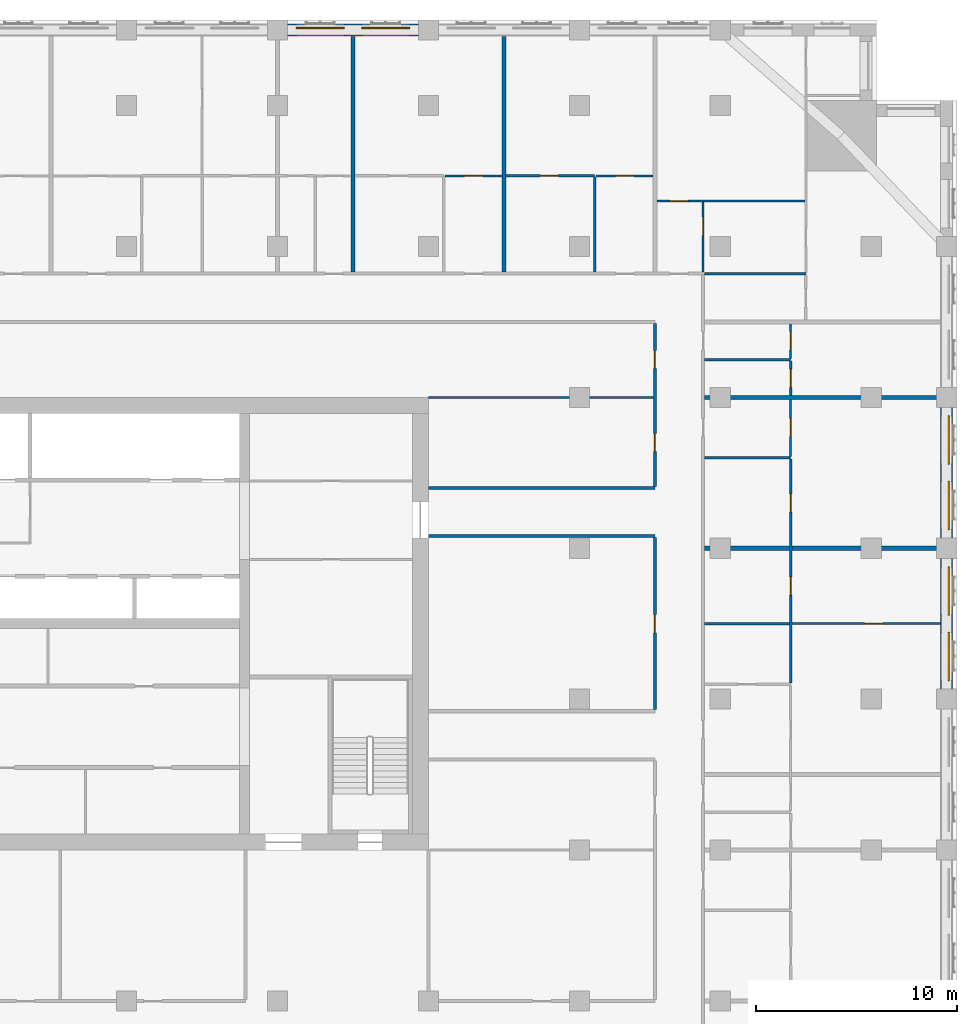
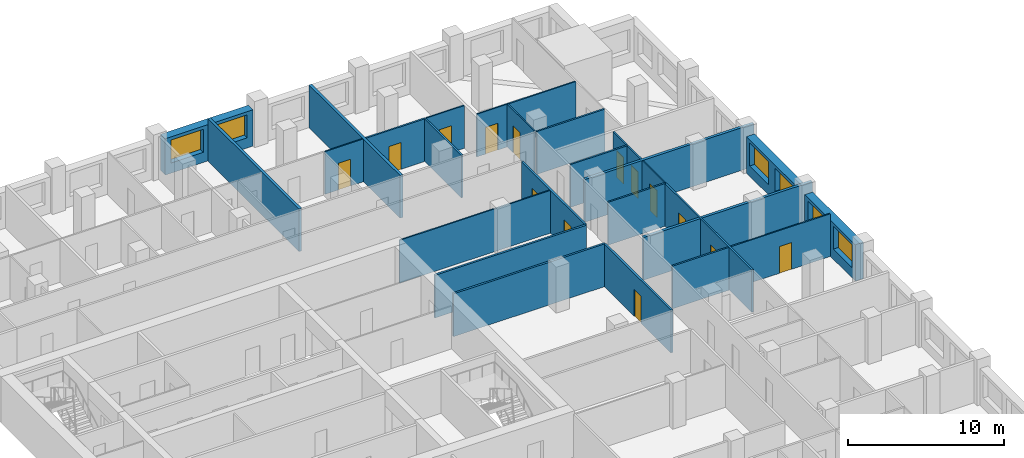
# One storey, part 10 of 14: 27 walls, 14 doors, 6 windows, 20 openings.
"""IFC4 building model written with IfcOpenShell, lengths in metres."""

from ifc_helpers import new_model, si_unit, direction, frame, frame_2d, origin, place, context, subcontext, project, spatial, rectangle, extrude, material, layer, layer_set, type_object, element, fill, save


model = new_model("IFC4")

# Units and contexts
model_context = context("Model", 3, precision=1e-05, world=origin(), true_north=direction((0.0, 1.0)))
body_context = subcontext(model_context, "Body", "Model", "MODEL_VIEW")
ifc_project = project(units=[si_unit("LENGTHUNIT", "METRE"), si_unit("AREAUNIT", "SQUARE_METRE"), si_unit("VOLUMEUNIT", "CUBIC_METRE"), si_unit("PLANEANGLEUNIT", "RADIAN"), si_unit("MASSUNIT", "GRAM", prefix="KILO")], contexts=[model_context])

# Site, building, storey
site_placement = place(None, origin())
site = spatial("IfcSite", under=ifc_project, at=site_placement, CompositionType="ELEMENT")
building_placement = place(site_placement, origin())
building = spatial("IfcBuilding", under=site, at=building_placement, Name="Tamorin Gate", CompositionType="ELEMENT")
storey_placement = place(building_placement, frame((0.0, 0.0, 148.199951171875)))
storey = spatial("IfcBuildingStorey", under=building, at=storey_placement, Name="L36", CompositionType="ELEMENT", Elevation=148.199951171875)

# Wall, openings, windows
ifc_material_1 = material(Name="Precast concrete C40/50", Category="concrete")
ifc_layer_1 = layer(ifc_material_1, 0.60009765625)
ifc_layer_set_1 = layer_set([ifc_layer_1], Name="Precast concrete C40/50")
wall_type_1 = type_object("IfcWallType", Name="Board-marked concrete facade panel 600", PredefinedType="SOLIDWALL", material=ifc_layer_set_1)
wall_1_placement = place(storey_placement, frame((85.75, 68.0, 0.0), z_axis=(0.0, 0.0, 1.0), x_axis=(0.0, 1.0, 0.0)))
wall_1 = element("IfcWall", 1, at=wall_1_placement, inside=storey, type_object=wall_type_1, Name="Facade panel", PredefinedType="SOLIDWALL", context=body_context, shape_type="SweptSolid", body=[
    extrude(rectangle(XDim=6.5, YDim=0.60009765625, at=frame_2d((3.25, 0.0))), origin(), (0.0, 0.0, 1.0), 2.85009765625),
])
opening_1_placement = place(wall_1_placement, frame((0.425048828125, 0.0, 0.800048828125)))
opening_1 = element("IfcOpeningElement", 2, at=opening_1_placement, cuts=wall_1, Name="Opening WN1", PredefinedType="OPENING", context=body_context, shape_type="SweptSolid", body=[
    extrude(rectangle(XDim=2.39990234375, YDim=1.800048828125, at=frame_2d((1.199951171875, 0.89990234375))), frame((0.0, 0.31005859375, 0.0), z_axis=(0.0, -1.0, 0.0), x_axis=(1.0, 0.0, 0.0)), (0.0, 0.0, 1.0), 0.6201171875),
])
opening_2_placement = place(wall_1_placement, frame((3.675048828125, 0.0, 0.800048828125)))
opening_2 = element("IfcOpeningElement", 3, at=opening_2_placement, cuts=wall_1, Name="Opening WN1", PredefinedType="OPENING", context=body_context, shape_type="SweptSolid", body=[
    extrude(rectangle(XDim=2.39990234375, YDim=1.800048828125, at=frame_2d((1.199951171875, 0.89990234375))), frame((0.0, 0.31005859375, 0.0), z_axis=(0.0, -1.0, 0.0), x_axis=(1.0, 0.0, 0.0)), (0.0, 0.0, 1.0), 0.6201171875),
])
ifc_material_2 = material(Name="Clear glass in aluminium frame", Category="aluminium")
window_type = type_object("IfcWindowType", Name="Deep-set window 2400x1800", PartitioningType="SINGLE_PANEL", PredefinedType="WINDOW", material=ifc_material_2)
window_1_placement = place(opening_1_placement, origin())
window_1 = element("IfcWindow", 4, at=window_1_placement, inside=storey, type_object=window_type, Name="Deep-set window", OverallHeight=1.800048828125, OverallWidth=2.39990234375, PartitioningType="SINGLE_PANEL", PredefinedType="WINDOW", context=body_context, shape_type="SweptSolid", body=[
    extrude(rectangle(XDim=2.39990234375, YDim=1.800048828125, at=frame_2d((1.199951171875, 0.89990234375))), frame((0.0, -0.070068359375, 0.0), z_axis=(0.0, -1.0, 0.0), x_axis=(1.0, 0.0, 0.0)), (0.0, 0.0, 1.0), 0.06005859375),
])
fill(opening_1, window_1)
window_2_placement = place(opening_2_placement, origin())
window_2 = element("IfcWindow", 5, at=window_2_placement, inside=storey, type_object=window_type, Name="Deep-set window", OverallHeight=1.800048828125, OverallWidth=2.39990234375, PartitioningType="SINGLE_PANEL", PredefinedType="WINDOW", context=body_context, shape_type="SweptSolid", body=[
    extrude(rectangle(XDim=2.39990234375, YDim=1.800048828125, at=frame_2d((1.199951171875, 0.89990234375))), frame((0.0, -0.070068359375, 0.0), z_axis=(0.0, -1.0, 0.0), x_axis=(1.0, 0.0, 0.0)), (0.0, 0.0, 1.0), 0.06005859375),
])
fill(opening_2, window_2)

wall_2_placement = place(storey_placement, frame((85.75, 75.5, 0.0), z_axis=(0.0, 0.0, 1.0), x_axis=(0.0, 1.0, 0.0)))
wall_2 = element("IfcWall", 6, at=wall_2_placement, inside=storey, type_object=wall_type_1, Name="Facade panel", PredefinedType="SOLIDWALL", context=body_context, shape_type="SweptSolid", body=[
    extrude(rectangle(XDim=6.5, YDim=0.60009765625, at=frame_2d((3.25, 0.0))), origin(), (0.0, 0.0, 1.0), 2.85009765625),
])
opening_3_placement = place(wall_2_placement, frame((0.425048828125, 0.0, 0.800048828125)))
opening_3 = element("IfcOpeningElement", 7, at=opening_3_placement, cuts=wall_2, Name="Opening WN1", PredefinedType="OPENING", context=body_context, shape_type="SweptSolid", body=[
    extrude(rectangle(XDim=2.39990234375, YDim=1.800048828125, at=frame_2d((1.199951171875, 0.89990234375))), frame((0.0, 0.31005859375, 0.0), z_axis=(0.0, -1.0, 0.0), x_axis=(1.0, 0.0, 0.0)), (0.0, 0.0, 1.0), 0.6201171875),
])
opening_4_placement = place(wall_2_placement, frame((3.675048828125, 0.0, 0.800048828125)))
opening_4 = element("IfcOpeningElement", 8, at=opening_4_placement, cuts=wall_2, Name="Opening WN1", PredefinedType="OPENING", context=body_context, shape_type="SweptSolid", body=[
    extrude(rectangle(XDim=2.39990234375, YDim=1.800048828125, at=frame_2d((1.199951171875, 0.89990234375))), frame((0.0, 0.31005859375, 0.0), z_axis=(0.0, -1.0, 0.0), x_axis=(1.0, 0.0, 0.0)), (0.0, 0.0, 1.0), 0.6201171875),
])
window_3_placement = place(opening_3_placement, origin())
window_3 = element("IfcWindow", 9, at=window_3_placement, inside=storey, type_object=window_type, Name="Deep-set window", OverallHeight=1.800048828125, OverallWidth=2.39990234375, PartitioningType="SINGLE_PANEL", PredefinedType="WINDOW", context=body_context, shape_type="SweptSolid", body=[
    extrude(rectangle(XDim=2.39990234375, YDim=1.800048828125, at=frame_2d((1.199951171875, 0.89990234375))), frame((0.0, -0.070068359375, 0.0), z_axis=(0.0, -1.0, 0.0), x_axis=(1.0, 0.0, 0.0)), (0.0, 0.0, 1.0), 0.06005859375),
])
fill(opening_3, window_3)
window_4_placement = place(opening_4_placement, origin())
window_4 = element("IfcWindow", 10, at=window_4_placement, inside=storey, type_object=window_type, Name="Deep-set window", OverallHeight=1.800048828125, OverallWidth=2.39990234375, PartitioningType="SINGLE_PANEL", PredefinedType="WINDOW", context=body_context, shape_type="SweptSolid", body=[
    extrude(rectangle(XDim=2.39990234375, YDim=1.800048828125, at=frame_2d((1.199951171875, 0.89990234375))), frame((0.0, -0.070068359375, 0.0), z_axis=(0.0, -1.0, 0.0), x_axis=(1.0, 0.0, 0.0)), (0.0, 0.0, 1.0), 0.06005859375),
])
fill(opening_4, window_4)

wall_3_placement = place(storey_placement, frame((59.5, 100.75, 0.0), z_axis=(0.0, 0.0, 1.0), x_axis=(-1.0, 0.0, 0.0)))
wall_3 = element("IfcWall", 11, at=wall_3_placement, inside=storey, type_object=wall_type_1, Name="Facade panel", PredefinedType="SOLIDWALL", context=body_context, shape_type="SweptSolid", body=[
    extrude(rectangle(XDim=6.5, YDim=0.60009765625, at=frame_2d((3.25, 0.0))), origin(), (0.0, 0.0, 1.0), 2.85009765625),
])
opening_5_placement = place(wall_3_placement, frame((3.675048828125, 0.0, 0.800048828125)))
opening_5 = element("IfcOpeningElement", 12, at=opening_5_placement, cuts=wall_3, Name="Opening WN1", PredefinedType="OPENING", context=body_context, shape_type="SweptSolid", body=[
    extrude(rectangle(XDim=2.39990234375, YDim=1.800048828125, at=frame_2d((1.199951171875, 0.89990234375))), frame((0.0, 0.31005859375, 0.0), z_axis=(0.0, -1.0, 0.0), x_axis=(1.0, 0.0, 0.0)), (0.0, 0.0, 1.0), 0.6201171875),
])
opening_6_placement = place(wall_3_placement, frame((0.425048828125, 0.0, 0.800048828125)))
opening_6 = element("IfcOpeningElement", 13, at=opening_6_placement, cuts=wall_3, Name="Opening WN1", PredefinedType="OPENING", context=body_context, shape_type="SweptSolid", body=[
    extrude(rectangle(XDim=2.39990234375, YDim=1.800048828125, at=frame_2d((1.199951171875, 0.89990234375))), frame((0.0, 0.31005859375, 0.0), z_axis=(0.0, -1.0, 0.0), x_axis=(1.0, 0.0, 0.0)), (0.0, 0.0, 1.0), 0.6201171875),
])
window_5_placement = place(opening_5_placement, origin())
window_5 = element("IfcWindow", 14, at=window_5_placement, inside=storey, type_object=window_type, Name="Deep-set window", OverallHeight=1.800048828125, OverallWidth=2.39990234375, PartitioningType="SINGLE_PANEL", PredefinedType="WINDOW", context=body_context, shape_type="SweptSolid", body=[
    extrude(rectangle(XDim=2.39990234375, YDim=1.800048828125, at=frame_2d((1.199951171875, 0.89990234375))), frame((0.0, -0.070068359375, 0.0), z_axis=(0.0, -1.0, 0.0), x_axis=(1.0, 0.0, 0.0)), (0.0, 0.0, 1.0), 0.06005859375),
])
fill(opening_5, window_5)
window_6_placement = place(opening_6_placement, origin())
window_6 = element("IfcWindow", 15, at=window_6_placement, inside=storey, type_object=window_type, Name="Deep-set window", OverallHeight=1.800048828125, OverallWidth=2.39990234375, PartitioningType="SINGLE_PANEL", PredefinedType="WINDOW", context=body_context, shape_type="SweptSolid", body=[
    extrude(rectangle(XDim=2.39990234375, YDim=1.800048828125, at=frame_2d((1.199951171875, 0.89990234375))), frame((0.0, -0.070068359375, 0.0), z_axis=(0.0, -1.0, 0.0), x_axis=(1.0, 0.0, 0.0)), (0.0, 0.0, 1.0), 0.06005859375),
])
fill(opening_6, window_6)

# Wall, opening, door
ifc_material_3 = material(Name="Gypsum board partition")
ifc_layer_2 = layer(ifc_material_3, 0.14990234375)
ifc_layer_set_2 = layer_set([ifc_layer_2], Name="Corridor wall 150")
wall_type_2 = type_object("IfcWallType", Name="Corridor wall 150", PredefinedType="PARTITIONING", material=ifc_layer_set_2)
wall_4_placement = place(storey_placement, frame((71.25, 66.97509765625, 0.0), z_axis=(0.0, 0.0, 1.0), x_axis=(0.0, 1.0, 0.0)))
wall_4 = element("IfcWall", 16, at=wall_4_placement, inside=storey, type_object=wall_type_2, Name="Corridor wall 150", PredefinedType="PARTITIONING", context=body_context, shape_type="SweptSolid", body=[
    extrude(rectangle(XDim=8.5498046875, YDim=0.14990234375, at=frame_2d((4.27490234375, 0.0))), origin(), (0.0, 0.0, 1.0), 3.35009765625),
])
opening_7_placement = place(wall_4_placement, frame((3.824951171875, 0.0, 0.0)))
opening_7 = element("IfcOpeningElement", 17, at=opening_7_placement, cuts=wall_4, Name="Opening DS2073", PredefinedType="OPENING", context=body_context, shape_type="SweptSolid", body=[
    extrude(rectangle(XDim=0.89990234375, YDim=2.10009765625, at=frame_2d((0.449951171875, 1.050048828125))), frame((0.0, 0.0849609375, 0.0), z_axis=(0.0, -1.0, 0.0), x_axis=(1.0, 0.0, 0.0)), (0.0, 0.0, 1.0), 0.169921875),
])
ifc_material_4 = material(Name="Timber door leaf", Category="wood")
door_type_1 = type_object("IfcDoorType", Name="Door 900 x 2100 FD30S", OperationType="NOTDEFINED", PredefinedType="DOOR", material=ifc_material_4)
door_1_placement = place(opening_7_placement, origin())
door_1 = element("IfcDoor", 18, at=door_1_placement, inside=storey, type_object=door_type_1, Name="Door DS2073", OperationType="SINGLE_SWING_LEFT", OverallHeight=2.10009765625, OverallWidth=0.89990234375, PredefinedType="DOOR", context=body_context, shape_type="SweptSolid", body=[
    extrude(rectangle(XDim=0.89990234375, YDim=2.10009765625, at=frame_2d((0.449951171875, 1.050048828125))), frame((0.0, 0.02490234375, 0.0), z_axis=(0.0, -1.0, 0.0), x_axis=(1.0, 0.0, 0.0)), (0.0, 0.0, 1.0), 0.050048828125),
])
fill(opening_7, door_1)

# Wall, openings, doors
wall_5_placement = place(storey_placement, frame((71.25, 78.074951171875, 0.0), z_axis=(0.0, 0.0, 1.0), x_axis=(0.0, 1.0, 0.0)))
wall_5 = element("IfcWall", 19, at=wall_5_placement, inside=storey, type_object=wall_type_2, Name="Corridor wall 150", PredefinedType="PARTITIONING", context=body_context, shape_type="SweptSolid", body=[
    extrude(rectangle(XDim=8.10009765625, YDim=0.14990234375, at=frame_2d((4.050048828125, 0.0))), origin(), (0.0, 0.0, 1.0), 3.35009765625),
])
opening_8_placement = place(wall_5_placement, frame((5.85009765625, 0.0, 0.0)))
opening_8 = element("IfcOpeningElement", 20, at=opening_8_placement, cuts=wall_5, Name="Opening DS2071", PredefinedType="OPENING", context=body_context, shape_type="SweptSolid", body=[
    extrude(rectangle(XDim=0.89990234375, YDim=2.10009765625, at=frame_2d((0.449951171875, 1.050048828125))), frame((0.0, 0.0849609375, 0.0), z_axis=(0.0, -1.0, 0.0), x_axis=(1.0, 0.0, 0.0)), (0.0, 0.0, 1.0), 0.169921875),
])
opening_9_placement = place(wall_5_placement, frame((1.72509765625, 0.0, 0.0)))
opening_9 = element("IfcOpeningElement", 21, at=opening_9_placement, cuts=wall_5, Name="Opening DS2074", PredefinedType="OPENING", context=body_context, shape_type="SweptSolid", body=[
    extrude(rectangle(XDim=0.89990234375, YDim=2.10009765625, at=frame_2d((0.449951171875, 1.050048828125))), frame((0.0, 0.0849609375, 0.0), z_axis=(0.0, -1.0, 0.0), x_axis=(1.0, 0.0, 0.0)), (0.0, 0.0, 1.0), 0.169921875),
])
door_2_placement = place(opening_8_placement, origin())
door_2 = element("IfcDoor", 22, at=door_2_placement, inside=storey, type_object=door_type_1, Name="Door DS2071", OperationType="SINGLE_SWING_LEFT", OverallHeight=2.10009765625, OverallWidth=0.89990234375, PredefinedType="DOOR", context=body_context, shape_type="SweptSolid", body=[
    extrude(rectangle(XDim=0.89990234375, YDim=2.10009765625, at=frame_2d((0.449951171875, 1.050048828125))), frame((0.0, 0.02490234375, 0.0), z_axis=(0.0, -1.0, 0.0), x_axis=(1.0, 0.0, 0.0)), (0.0, 0.0, 1.0), 0.050048828125),
])
fill(opening_8, door_2)
door_3_placement = place(opening_9_placement, origin())
door_3 = element("IfcDoor", 23, at=door_3_placement, inside=storey, type_object=door_type_1, Name="Door DS2074", OperationType="SINGLE_SWING_LEFT", OverallHeight=2.10009765625, OverallWidth=0.89990234375, PredefinedType="DOOR", context=body_context, shape_type="SweptSolid", body=[
    extrude(rectangle(XDim=0.89990234375, YDim=2.10009765625, at=frame_2d((0.449951171875, 1.050048828125))), frame((0.0, 0.02490234375, 0.0), z_axis=(0.0, -1.0, 0.0), x_axis=(1.0, 0.0, 0.0)), (0.0, 0.0, 1.0), 0.050048828125),
])
fill(opening_9, door_3)

# Walls
ifc_layer_3 = layer(ifc_material_3, 0.199951171875)
ifc_layer_set_3 = layer_set([ifc_layer_3], Name="Demising wall 200")
wall_type_3 = type_object("IfcWallType", Name="Demising wall 200", PredefinedType="PARTITIONING", material=ifc_layer_set_3)
for number, where, z_axis, x_axis, name in (
    (24, (73.72509765625, 75.0, 0.0), (0.0, 0.0, 1.0), (1.0, 0.0, 0.0), "Demising wall 200"),
    (25, (73.72509765625, 82.5, 0.0), (0.0, 0.0, 1.0), (1.0, 0.0, 0.0), "Demising wall 200"),
):
    element("IfcWall", number, at=place(storey_placement, frame(where, z_axis=z_axis, x_axis=x_axis)), inside=storey, type_object=wall_type_3, Name=name, PredefinedType="PARTITIONING", context=body_context, shape_type="SweptSolid", body=[
        extrude(rectangle(XDim=12.52490234375, YDim=0.199951171875, at=frame_2d((6.262451171875, 0.0))), origin(), (0.0, 0.0, 1.0), 3.35009765625),
    ])
for number, where, z_axis, x_axis, name in (
    (26, (56.25, 88.72509765625, 0.0), (0.0, 0.0, 1.0), (0.0, 1.0, 0.0), "Demising wall 200"),
    (27, (63.75, 88.72509765625, 0.0), (0.0, 0.0, 1.0), (0.0, 1.0, 0.0), "Demising wall 200"),
):
    element("IfcWall", number, at=place(storey_placement, frame(where, z_axis=z_axis, x_axis=x_axis)), inside=storey, type_object=wall_type_3, Name=name, PredefinedType="PARTITIONING", context=body_context, shape_type="SweptSolid", body=[
        extrude(rectangle(XDim=11.71484375, YDim=0.199951171875, at=frame_2d((5.857421875, 0.0))), origin(), (0.0, 0.0, 1.0), 3.35009765625),
    ])
ifc_layer_4 = layer(ifc_material_3, 0.14990234375)
ifc_layer_set_4 = layer_set([ifc_layer_4], Name="Lobby wall 150")
wall_type_4 = type_object("IfcWallType", Name="Lobby wall 150", PredefinedType="PARTITIONING", material=ifc_layer_set_4)
for number, where, z_axis, x_axis, name in (
    (28, (60.0, 75.60009765625, 0.0), (0.0, 0.0, 1.0), (1.0, 0.0, 0.0), "Lobby wall 150"),
    (29, (60.0, 78.0, 0.0), (0.0, 0.0, 1.0), (1.0, 0.0, 0.0), "Lobby wall 150"),
):
    element("IfcWall", number, at=place(storey_placement, frame(where, z_axis=z_axis, x_axis=x_axis)), inside=storey, type_object=wall_type_4, Name=name, PredefinedType="PARTITIONING", context=body_context, shape_type="SweptSolid", body=[
        extrude(rectangle(XDim=11.25, YDim=0.14990234375, at=frame_2d((5.625, 0.0))), origin(), (0.0, 0.0, 1.0), 3.35009765625),
    ])

# Wall, opening, door
ifc_layer_5 = layer(ifc_material_3, 0.10009765625)
ifc_layer_set_5 = layer_set([ifc_layer_5], Name="Room partition 100")
wall_type_5 = type_object("IfcWallType", Name="Room partition 100", PredefinedType="PARTITIONING", material=ifc_layer_set_5)
wall_6_placement = place(storey_placement, frame((78.0625, 71.25, 0.0), z_axis=(0.0, 0.0, 1.0), x_axis=(1.0, 0.0, 0.0)))
wall_6 = element("IfcWall", 30, at=wall_6_placement, inside=storey, type_object=wall_type_5, Name="Room partition 100", PredefinedType="PARTITIONING", context=body_context, shape_type="SweptSolid", body=[
    extrude(rectangle(XDim=7.37744140625, YDim=0.10009765625, at=frame_2d((3.688720703125, 0.0))), origin(), (0.0, 0.0, 1.0), 3.35009765625),
])
opening_10_placement = place(wall_6_placement, frame((3.612548828125, 0.0, 0.0)))
opening_10 = element("IfcOpeningElement", 31, at=opening_10_placement, cuts=wall_6, Name="Opening DS2047", PredefinedType="OPENING", context=body_context, shape_type="SweptSolid", body=[
    extrude(rectangle(XDim=0.89990234375, YDim=2.10009765625, at=frame_2d((0.449951171875, 1.050048828125))), frame((0.0, 0.06005859375, 0.0), z_axis=(0.0, -1.0, 0.0), x_axis=(1.0, 0.0, 0.0)), (0.0, 0.0, 1.0), 0.1201171875),
])
door_type_2 = type_object("IfcDoorType", Name="Door 900 x 2100", OperationType="NOTDEFINED", PredefinedType="DOOR", material=ifc_material_4)
door_4_placement = place(opening_10_placement, origin())
door_4 = element("IfcDoor", 32, at=door_4_placement, inside=storey, type_object=door_type_2, Name="Door DS2047", OperationType="SINGLE_SWING_RIGHT", OverallHeight=2.10009765625, OverallWidth=0.89990234375, PredefinedType="DOOR", context=body_context, shape_type="SweptSolid", body=[
    extrude(rectangle(XDim=0.89990234375, YDim=2.10009765625, at=frame_2d((0.449951171875, 1.050048828125))), frame((0.0, 0.02490234375, 0.0), z_axis=(0.0, -1.0, 0.0), x_axis=(1.0, 0.0, 0.0)), (0.0, 0.0, 1.0), 0.050048828125),
])
fill(opening_10, door_4)

# Wall
wall_7_placement = place(storey_placement, frame((60.0, 82.5, 0.0), z_axis=(0.0, 0.0, 1.0), x_axis=(1.0, 0.0, 0.0)))
element("IfcWall", 33, at=wall_7_placement, inside=storey, type_object=wall_type_5, Name="Room partition 100", PredefinedType="PARTITIONING", context=body_context, shape_type="SweptSolid", body=[
    extrude(rectangle(XDim=11.175048828125, YDim=0.10009765625, at=frame_2d((5.58740234375, 0.0))), origin(), (0.0, 0.0, 1.0), 3.35009765625),
])

# Wall, opening, door
wall_8_placement = place(storey_placement, frame((71.35009765625, 92.25, 0.0), z_axis=(0.0, 0.0, 1.0), x_axis=(1.0, 0.0, 0.0)))
wall_8 = element("IfcWall", 34, at=wall_8_placement, inside=storey, type_object=wall_type_5, Name="Room partition 100", PredefinedType="PARTITIONING", context=body_context, shape_type="SweptSolid", body=[
    extrude(rectangle(XDim=7.349853515625, YDim=0.10009765625, at=frame_2d((3.6748046875, 0.0))), origin(), (0.0, 0.0, 1.0), 3.35009765625),
])
opening_11_placement = place(wall_8_placement, frame((0.64990234375, 0.0, 0.0)))
opening_11 = element("IfcOpeningElement", 35, at=opening_11_placement, cuts=wall_8, Name="Opening DS2061", PredefinedType="OPENING", context=body_context, shape_type="SweptSolid", body=[
    extrude(rectangle(XDim=0.89990234375, YDim=2.10009765625, at=frame_2d((0.449951171875, 1.050048828125))), frame((0.0, 0.06005859375, 0.0), z_axis=(0.0, -1.0, 0.0), x_axis=(1.0, 0.0, 0.0)), (0.0, 0.0, 1.0), 0.1201171875),
])
door_5_placement = place(opening_11_placement, origin())
door_5 = element("IfcDoor", 36, at=door_5_placement, inside=storey, type_object=door_type_2, Name="Door DS2061", OperationType="SINGLE_SWING_LEFT", OverallHeight=2.10009765625, OverallWidth=0.89990234375, PredefinedType="DOOR", context=body_context, shape_type="SweptSolid", body=[
    extrude(rectangle(XDim=0.89990234375, YDim=2.10009765625, at=frame_2d((0.449951171875, 1.050048828125))), frame((0.0, 0.02490234375, 0.0), z_axis=(0.0, -1.0, 0.0), x_axis=(1.0, 0.0, 0.0)), (0.0, 0.0, 1.0), 0.050048828125),
])
fill(opening_11, door_5)

wall_9_placement = place(storey_placement, frame((60.8125, 93.5, 0.0), z_axis=(0.0, 0.0, 1.0), x_axis=(1.0, 0.0, 0.0)))
wall_9 = element("IfcWall", 37, at=wall_9_placement, inside=storey, type_object=wall_type_5, Name="Room partition 100", PredefinedType="PARTITIONING", context=body_context, shape_type="SweptSolid", body=[
    extrude(rectangle(XDim=2.83740234375, YDim=0.10009765625, at=frame_2d((1.418701171875, 0.0))), origin(), (0.0, 0.0, 1.0), 3.35009765625),
])
opening_12_placement = place(wall_9_placement, frame((0.987548828125, 0.0, 0.0)))
opening_12 = element("IfcOpeningElement", 38, at=opening_12_placement, cuts=wall_9, Name="Opening DS2033", PredefinedType="OPENING", context=body_context, shape_type="SweptSolid", body=[
    extrude(rectangle(XDim=0.89990234375, YDim=2.10009765625, at=frame_2d((0.449951171875, 1.050048828125))), frame((0.0, 0.06005859375, 0.0), z_axis=(0.0, -1.0, 0.0), x_axis=(1.0, 0.0, 0.0)), (0.0, 0.0, 1.0), 0.1201171875),
])
door_6_placement = place(opening_12_placement, origin())
door_6 = element("IfcDoor", 39, at=door_6_placement, inside=storey, type_object=door_type_2, Name="Door DS2033", OperationType="SINGLE_SWING_RIGHT", OverallHeight=2.10009765625, OverallWidth=0.89990234375, PredefinedType="DOOR", context=body_context, shape_type="SweptSolid", body=[
    extrude(rectangle(XDim=0.89990234375, YDim=2.10009765625, at=frame_2d((0.449951171875, 1.050048828125))), frame((0.0, 0.02490234375, 0.0), z_axis=(0.0, -1.0, 0.0), x_axis=(1.0, 0.0, 0.0)), (0.0, 0.0, 1.0), 0.050048828125),
])
fill(opening_12, door_6)

wall_10_placement = place(storey_placement, frame((68.3125, 93.5, 0.0), z_axis=(0.0, 0.0, 1.0), x_axis=(1.0, 0.0, 0.0)))
wall_10 = element("IfcWall", 40, at=wall_10_placement, inside=storey, type_object=wall_type_5, Name="Room partition 100", PredefinedType="PARTITIONING", context=body_context, shape_type="SweptSolid", body=[
    extrude(rectangle(XDim=2.83740234375, YDim=0.10009765625, at=frame_2d((1.418701171875, 0.0))), origin(), (0.0, 0.0, 1.0), 3.35009765625),
])
opening_13_placement = place(wall_10_placement, frame((0.987548828125, 0.0, 0.0)))
opening_13 = element("IfcOpeningElement", 41, at=opening_13_placement, cuts=wall_10, Name="Opening DS2036", PredefinedType="OPENING", context=body_context, shape_type="SweptSolid", body=[
    extrude(rectangle(XDim=0.89990234375, YDim=2.10009765625, at=frame_2d((0.449951171875, 1.050048828125))), frame((0.0, 0.06005859375, 0.0), z_axis=(0.0, -1.0, 0.0), x_axis=(1.0, 0.0, 0.0)), (0.0, 0.0, 1.0), 0.1201171875),
])
door_7_placement = place(opening_13_placement, origin())
door_7 = element("IfcDoor", 42, at=door_7_placement, inside=storey, type_object=door_type_2, Name="Door DS2036", OperationType="SINGLE_SWING_RIGHT", OverallHeight=2.10009765625, OverallWidth=0.89990234375, PredefinedType="DOOR", context=body_context, shape_type="SweptSolid", body=[
    extrude(rectangle(XDim=0.89990234375, YDim=2.10009765625, at=frame_2d((0.449951171875, 1.050048828125))), frame((0.0, 0.02490234375, 0.0), z_axis=(0.0, -1.0, 0.0), x_axis=(1.0, 0.0, 0.0)), (0.0, 0.0, 1.0), 0.050048828125),
])
fill(opening_13, door_7)

wall_11_placement = place(storey_placement, frame((73.64990234375, 88.72509765625, 0.0), z_axis=(0.0, 0.0, 1.0), x_axis=(0.0, 1.0, 0.0)))
wall_11 = element("IfcWall", 43, at=wall_11_placement, inside=storey, type_object=wall_type_5, Name="Room partition 100", PredefinedType="PARTITIONING", context=body_context, shape_type="SweptSolid", body=[
    extrude(rectangle(XDim=3.474853515625, YDim=0.10009765625, at=frame_2d((1.7373046875, 0.0))), origin(), (0.0, 0.0, 1.0), 3.35009765625),
])
opening_14_placement = place(wall_11_placement, frame((1.824951171875, 0.0, 0.0)))
opening_14 = element("IfcOpeningElement", 44, at=opening_14_placement, cuts=wall_11, Name="Opening DS2062", PredefinedType="OPENING", context=body_context, shape_type="SweptSolid", body=[
    extrude(rectangle(XDim=0.89990234375, YDim=2.10009765625, at=frame_2d((0.449951171875, 1.050048828125))), frame((0.0, 0.06005859375, 0.0), z_axis=(0.0, -1.0, 0.0), x_axis=(1.0, 0.0, 0.0)), (0.0, 0.0, 1.0), 0.1201171875),
])
door_8_placement = place(opening_14_placement, origin())
door_8 = element("IfcDoor", 45, at=door_8_placement, inside=storey, type_object=door_type_2, Name="Door DS2062", OperationType="SINGLE_SWING_RIGHT", OverallHeight=2.10009765625, OverallWidth=0.89990234375, PredefinedType="DOOR", context=body_context, shape_type="SweptSolid", body=[
    extrude(rectangle(XDim=0.89990234375, YDim=2.10009765625, at=frame_2d((0.449951171875, 1.050048828125))), frame((0.0, 0.02490234375, 0.0), z_axis=(0.0, -1.0, 0.0), x_axis=(1.0, 0.0, 0.0)), (0.0, 0.0, 1.0), 0.050048828125),
])
fill(opening_14, door_8)

wall_12_placement = place(storey_placement, frame((78.0, 79.5625, 0.0), z_axis=(0.0, 0.0, 1.0), x_axis=(0.0, 1.0, 0.0)))
wall_12 = element("IfcWall", 46, at=wall_12_placement, inside=storey, type_object=wall_type_5, Name="Room partition 100", PredefinedType="PARTITIONING", context=body_context, shape_type="SweptSolid", body=[
    extrude(rectangle(XDim=2.83740234375, YDim=0.10009765625, at=frame_2d((1.418701171875, 0.0))), origin(), (0.0, 0.0, 1.0), 3.35009765625),
])
opening_15_placement = place(wall_12_placement, frame((0.987548828125, 0.0, 0.0)))
opening_15 = element("IfcOpeningElement", 47, at=opening_15_placement, cuts=wall_12, Name="Opening DS2050", PredefinedType="OPENING", context=body_context, shape_type="SweptSolid", body=[
    extrude(rectangle(XDim=0.89990234375, YDim=2.10009765625, at=frame_2d((0.449951171875, 1.050048828125))), frame((0.0, 0.06005859375, 0.0), z_axis=(0.0, -1.0, 0.0), x_axis=(1.0, 0.0, 0.0)), (0.0, 0.0, 1.0), 0.1201171875),
])
door_9_placement = place(opening_15_placement, origin())
door_9 = element("IfcDoor", 48, at=door_9_placement, inside=storey, type_object=door_type_2, Name="Door DS2050", OperationType="SINGLE_SWING_LEFT", OverallHeight=2.10009765625, OverallWidth=0.89990234375, PredefinedType="DOOR", context=body_context, shape_type="SweptSolid", body=[
    extrude(rectangle(XDim=0.89990234375, YDim=2.10009765625, at=frame_2d((0.449951171875, 1.050048828125))), frame((0.0, 0.02490234375, 0.0), z_axis=(0.0, -1.0, 0.0), x_axis=(1.0, 0.0, 0.0)), (0.0, 0.0, 1.0), 0.050048828125),
])
fill(opening_15, door_9)

wall_13_placement = place(storey_placement, frame((78.0, 84.4375, 0.0), z_axis=(0.0, 0.0, 1.0), x_axis=(0.0, 1.0, 0.0)))
wall_13 = element("IfcWall", 49, at=wall_13_placement, inside=storey, type_object=wall_type_5, Name="Room partition 100", PredefinedType="PARTITIONING", context=body_context, shape_type="SweptSolid", body=[
    extrude(rectangle(XDim=1.71240234375, YDim=0.10009765625, at=frame_2d((0.856201171875, 0.0))), origin(), (0.0, 0.0, 1.0), 3.35009765625),
])
opening_16_placement = place(wall_13_placement, frame((0.425048828125, 0.0, 0.0)))
opening_16 = element("IfcOpeningElement", 50, at=opening_16_placement, cuts=wall_13, Name="Opening DS2053", PredefinedType="OPENING", context=body_context, shape_type="SweptSolid", body=[
    extrude(rectangle(XDim=0.89990234375, YDim=2.10009765625, at=frame_2d((0.449951171875, 1.050048828125))), frame((0.0, 0.06005859375, 0.0), z_axis=(0.0, -1.0, 0.0), x_axis=(1.0, 0.0, 0.0)), (0.0, 0.0, 1.0), 0.1201171875),
])
door_10_placement = place(opening_16_placement, origin())
door_10 = element("IfcDoor", 51, at=door_10_placement, inside=storey, type_object=door_type_2, Name="Door DS2053", OperationType="SINGLE_SWING_LEFT", OverallHeight=2.10009765625, OverallWidth=0.89990234375, PredefinedType="DOOR", context=body_context, shape_type="SweptSolid", body=[
    extrude(rectangle(XDim=0.89990234375, YDim=2.10009765625, at=frame_2d((0.449951171875, 1.050048828125))), frame((0.0, 0.02490234375, 0.0), z_axis=(0.0, -1.0, 0.0), x_axis=(1.0, 0.0, 0.0)), (0.0, 0.0, 1.0), 0.050048828125),
])
fill(opening_16, door_10)

# Walls
ifc_layer_6 = layer(ifc_material_3, 0.125)
ifc_layer_set_6 = layer_set([ifc_layer_6], Name="Wet wall 125")
wall_type_6 = type_object("IfcWallType", Name="Wet wall 125", PredefinedType="PARTITIONING", material=ifc_layer_set_6)
wall_14_placement = place(storey_placement, frame((73.72509765625, 71.25, 0.0), z_axis=(0.0, 0.0, 1.0), x_axis=(1.0, 0.0, 0.0)))
element("IfcWall", 52, at=wall_14_placement, inside=storey, type_object=wall_type_6, Name="Wet wall 125", PredefinedType="PARTITIONING", context=body_context, shape_type="SweptSolid", body=[
    extrude(rectangle(XDim=4.21240234375, YDim=0.125, at=frame_2d((2.106201171875, 0.0))), origin(), (0.0, 0.0, 1.0), 3.35009765625),
])
for number, where, z_axis, x_axis, name in (
    (53, (73.72509765625, 79.5, 0.0), (0.0, 0.0, 1.0), (1.0, 0.0, 0.0), "Wet wall 125"),
    (54, (73.72509765625, 84.375, 0.0), (0.0, 0.0, 1.0), (1.0, 0.0, 0.0), "Wet wall 125"),
):
    element("IfcWall", number, at=place(storey_placement, frame(where, z_axis=z_axis, x_axis=x_axis)), inside=storey, type_object=wall_type_6, Name=name, PredefinedType="PARTITIONING", context=body_context, shape_type="SweptSolid", body=[
        extrude(rectangle(XDim=4.27490234375, YDim=0.125, at=frame_2d((2.137451171875, 0.0))), origin(), (0.0, 0.0, 1.0), 3.35009765625),
    ])
wall_15_placement = place(storey_placement, frame((73.72509765625, 88.64990234375, 0.0), z_axis=(0.0, 0.0, 1.0), x_axis=(1.0, 0.0, 0.0)))
element("IfcWall", 55, at=wall_15_placement, inside=storey, type_object=wall_type_6, Name="Wet wall 125", PredefinedType="PARTITIONING", context=body_context, shape_type="SweptSolid", body=[
    extrude(rectangle(XDim=5.02490234375, YDim=0.125, at=frame_2d((2.512451171875, 0.0))), origin(), (0.0, 0.0, 1.0), 3.35009765625),
])

# Wall, opening, door
wall_16_placement = place(storey_placement, frame((63.85009765625, 93.5, 0.0), z_axis=(0.0, 0.0, 1.0), x_axis=(1.0, 0.0, 0.0)))
wall_16 = element("IfcWall", 56, at=wall_16_placement, inside=storey, type_object=wall_type_6, Name="Wet wall 125", PredefinedType="PARTITIONING", context=body_context, shape_type="SweptSolid", body=[
    extrude(rectangle(XDim=4.39990234375, YDim=0.125, at=frame_2d((2.199951171875, 0.0))), origin(), (0.0, 0.0, 1.0), 3.35009765625),
])
opening_17_placement = place(wall_16_placement, frame((1.699951171875, 0.0, 0.0)))
opening_17 = element("IfcOpeningElement", 57, at=opening_17_placement, cuts=wall_16, Name="Opening DS2034", PredefinedType="OPENING", context=body_context, shape_type="SweptSolid", body=[
    extrude(rectangle(XDim=0.89990234375, YDim=2.10009765625, at=frame_2d((0.449951171875, 1.050048828125))), frame((0.0, 0.072509765625, 0.0), z_axis=(0.0, -1.0, 0.0), x_axis=(1.0, 0.0, 0.0)), (0.0, 0.0, 1.0), 0.14501953125),
])
door_11_placement = place(opening_17_placement, origin())
door_11 = element("IfcDoor", 58, at=door_11_placement, inside=storey, type_object=door_type_2, Name="Door DS2034", OperationType="SINGLE_SWING_RIGHT", OverallHeight=2.10009765625, OverallWidth=0.89990234375, PredefinedType="DOOR", context=body_context, shape_type="SweptSolid", body=[
    extrude(rectangle(XDim=0.89990234375, YDim=2.10009765625, at=frame_2d((0.449951171875, 1.050048828125))), frame((0.0, 0.02490234375, 0.0), z_axis=(0.0, -1.0, 0.0), x_axis=(1.0, 0.0, 0.0)), (0.0, 0.0, 1.0), 0.050048828125),
])
fill(opening_17, door_11)

# Wall
wall_17_placement = place(storey_placement, frame((68.25, 88.72509765625, 0.0), z_axis=(0.0, 0.0, 1.0), x_axis=(0.0, 1.0, 0.0)))
element("IfcWall", 59, at=wall_17_placement, inside=storey, type_object=wall_type_6, Name="Wet wall 125", PredefinedType="PARTITIONING", context=body_context, shape_type="SweptSolid", body=[
    extrude(rectangle(XDim=4.71240234375, YDim=0.125, at=frame_2d((2.356201171875, 0.0))), origin(), (0.0, 0.0, 1.0), 3.35009765625),
])

# Wall, openings, doors
wall_18_placement = place(storey_placement, frame((78.0, 68.3125, 0.0), z_axis=(0.0, 0.0, 1.0), x_axis=(0.0, 1.0, 0.0)))
wall_18 = element("IfcWall", 60, at=wall_18_placement, inside=storey, type_object=wall_type_6, Name="Wet wall 125", PredefinedType="PARTITIONING", context=body_context, shape_type="SweptSolid", body=[
    extrude(rectangle(XDim=11.125, YDim=0.125, at=frame_2d((5.5625, 0.0))), origin(), (0.0, 0.0, 1.0), 3.35009765625),
])
opening_18_placement = place(wall_18_placement, frame((4.362548828125, 0.0, 0.0)))
opening_18 = element("IfcOpeningElement", 61, at=opening_18_placement, cuts=wall_18, Name="Opening DS2046", PredefinedType="OPENING", context=body_context, shape_type="SweptSolid", body=[
    extrude(rectangle(XDim=0.89990234375, YDim=2.10009765625, at=frame_2d((0.449951171875, 1.050048828125))), frame((0.0, 0.072509765625, 0.0), z_axis=(0.0, -1.0, 0.0), x_axis=(1.0, 0.0, 0.0)), (0.0, 0.0, 1.0), 0.14501953125),
])
opening_19_placement = place(wall_18_placement, frame((8.487548828125, 0.0, 0.0)))
opening_19 = element("IfcOpeningElement", 62, at=opening_19_placement, cuts=wall_18, Name="Opening DS2048", PredefinedType="OPENING", context=body_context, shape_type="SweptSolid", body=[
    extrude(rectangle(XDim=0.89990234375, YDim=2.10009765625, at=frame_2d((0.449951171875, 1.050048828125))), frame((0.0, 0.072509765625, 0.0), z_axis=(0.0, -1.0, 0.0), x_axis=(1.0, 0.0, 0.0)), (0.0, 0.0, 1.0), 0.14501953125),
])
door_12_placement = place(opening_18_placement, origin())
door_12 = element("IfcDoor", 63, at=door_12_placement, inside=storey, type_object=door_type_2, Name="Door DS2046", OperationType="SINGLE_SWING_LEFT", OverallHeight=2.10009765625, OverallWidth=0.89990234375, PredefinedType="DOOR", context=body_context, shape_type="SweptSolid", body=[
    extrude(rectangle(XDim=0.89990234375, YDim=2.10009765625, at=frame_2d((0.449951171875, 1.050048828125))), frame((0.0, 0.02490234375, 0.0), z_axis=(0.0, -1.0, 0.0), x_axis=(1.0, 0.0, 0.0)), (0.0, 0.0, 1.0), 0.050048828125),
])
fill(opening_18, door_12)
door_13_placement = place(opening_19_placement, origin())
door_13 = element("IfcDoor", 64, at=door_13_placement, inside=storey, type_object=door_type_2, Name="Door DS2048", OperationType="SINGLE_SWING_LEFT", OverallHeight=2.10009765625, OverallWidth=0.89990234375, PredefinedType="DOOR", context=body_context, shape_type="SweptSolid", body=[
    extrude(rectangle(XDim=0.89990234375, YDim=2.10009765625, at=frame_2d((0.449951171875, 1.050048828125))), frame((0.0, 0.02490234375, 0.0), z_axis=(0.0, -1.0, 0.0), x_axis=(1.0, 0.0, 0.0)), (0.0, 0.0, 1.0), 0.050048828125),
])
fill(opening_19, door_13)

# Wall, opening, door
wall_19_placement = place(storey_placement, frame((78.0, 82.60009765625, 0.0), z_axis=(0.0, 0.0, 1.0), x_axis=(0.0, 1.0, 0.0)))
wall_19 = element("IfcWall", 65, at=wall_19_placement, inside=storey, type_object=wall_type_6, Name="Wet wall 125", PredefinedType="PARTITIONING", context=body_context, shape_type="SweptSolid", body=[
    extrude(rectangle(XDim=1.71240234375, YDim=0.125, at=frame_2d((0.856201171875, 0.0))), origin(), (0.0, 0.0, 1.0), 3.35009765625),
])
opening_20_placement = place(wall_19_placement, frame((0.387451171875, 0.0, 0.0)))
opening_20 = element("IfcOpeningElement", 66, at=opening_20_placement, cuts=wall_19, Name="Opening DS2051", PredefinedType="OPENING", context=body_context, shape_type="SweptSolid", body=[
    extrude(rectangle(XDim=0.89990234375, YDim=2.10009765625, at=frame_2d((0.449951171875, 1.050048828125))), frame((0.0, 0.072509765625, 0.0), z_axis=(0.0, -1.0, 0.0), x_axis=(1.0, 0.0, 0.0)), (0.0, 0.0, 1.0), 0.14501953125),
])
door_14_placement = place(opening_20_placement, origin())
door_14 = element("IfcDoor", 67, at=door_14_placement, inside=storey, type_object=door_type_2, Name="Door DS2051", OperationType="SINGLE_SWING_LEFT", OverallHeight=2.10009765625, OverallWidth=0.89990234375, PredefinedType="DOOR", context=body_context, shape_type="SweptSolid", body=[
    extrude(rectangle(XDim=0.89990234375, YDim=2.10009765625, at=frame_2d((0.449951171875, 1.050048828125))), frame((0.0, 0.02490234375, 0.0), z_axis=(0.0, -1.0, 0.0), x_axis=(1.0, 0.0, 0.0)), (0.0, 0.0, 1.0), 0.050048828125),
])
fill(opening_20, door_14)

save(model, "model.ifc")
